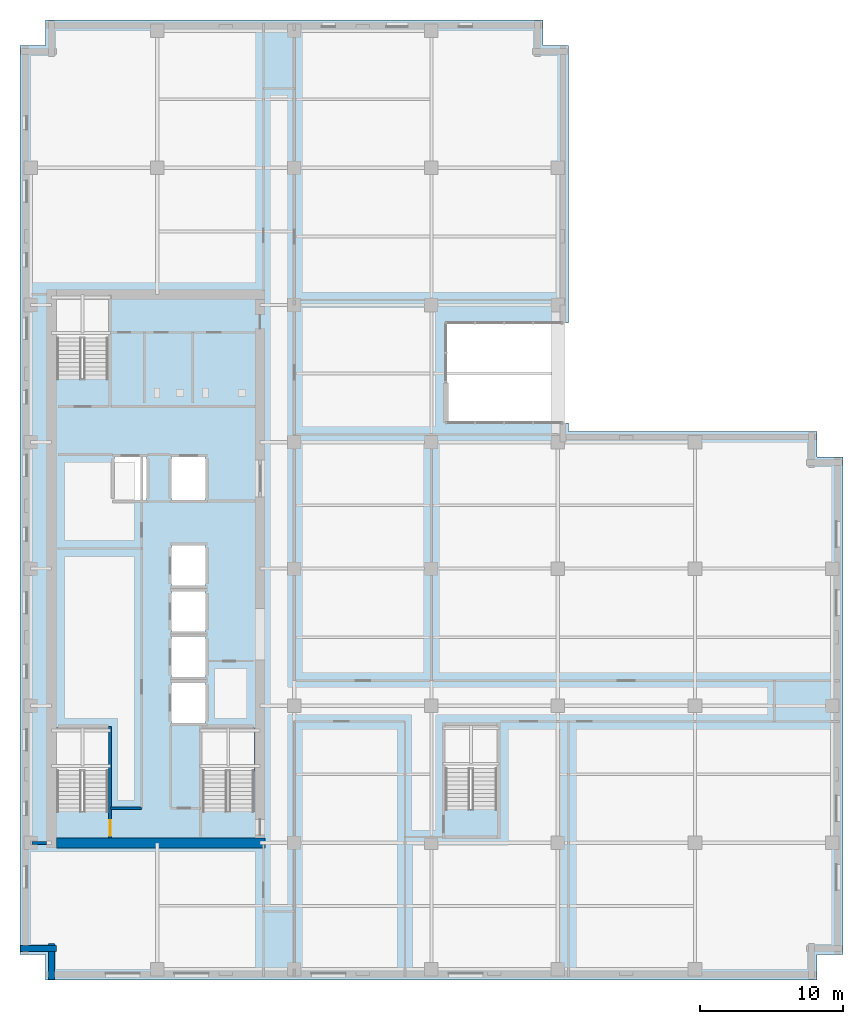
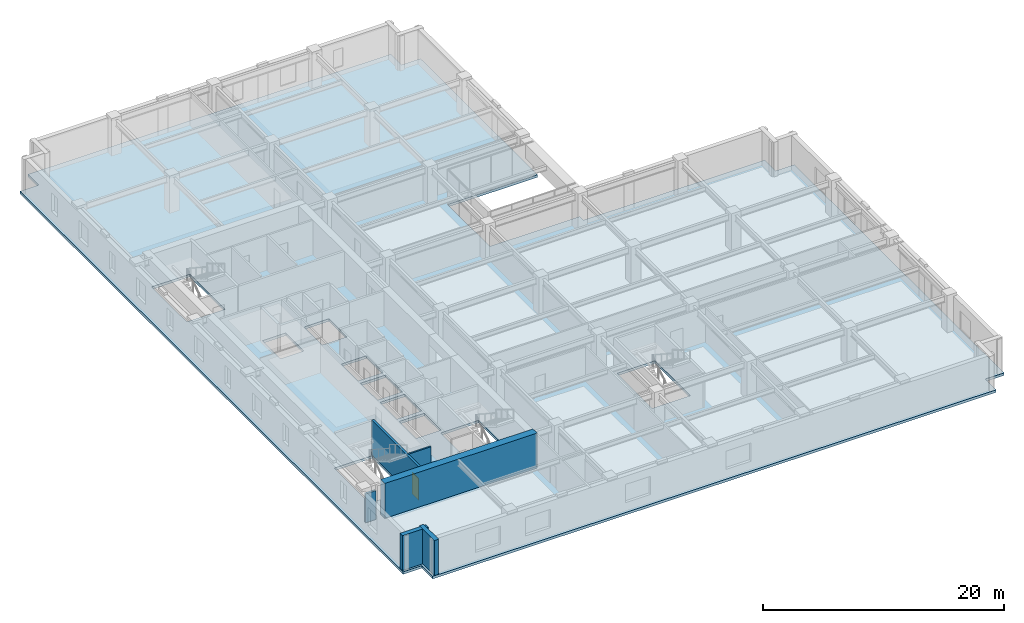
# One storey, part 3 of 13: 6 walls, 1 door, 1 slab, 1 opening.
"""IFC4 building model written with IfcOpenShell, lengths in metres."""

from ifc_helpers import new_model, si_unit, direction, frame, frame_2d, origin, place, context, subcontext, project, spatial, polyline, rectangle, outline, extrude, material, layer, layer_set, type_object, element, fill, save


model = new_model("IFC4")

# Units and contexts
model_context = context("Model", 3, precision=1e-05, world=origin(), true_north=direction((0.0, 1.0)))
body_context = subcontext(model_context, "Body", "Model", "MODEL_VIEW")
ifc_project = project(units=[si_unit("LENGTHUNIT", "METRE"), si_unit("AREAUNIT", "SQUARE_METRE"), si_unit("VOLUMEUNIT", "CUBIC_METRE"), si_unit("PLANEANGLEUNIT", "RADIAN"), si_unit("MASSUNIT", "GRAM", prefix="KILO")], contexts=[model_context])

# Site, building, storey
site_placement = place(None, origin())
site = spatial("IfcSite", under=ifc_project, at=site_placement, CompositionType="ELEMENT")
building_placement = place(site_placement, origin())
building = spatial("IfcBuilding", under=site, at=building_placement, Name="Norrvale University Quadrangle", CompositionType="ELEMENT")
storey_placement = place(building_placement, frame((0.0, 0.0, 171.199951171875)))
storey = spatial("IfcBuildingStorey", under=building, at=storey_placement, Name="L43", CompositionType="ELEMENT", Elevation=171.199951171875)

# Slab
ifc_material_1 = material(Name="Concrete C40/50", Category="concrete")
ifc_layer_1 = layer(ifc_material_1, 0.260009765625, Name="Concrete C40/50")
ifc_layer_set_1 = layer_set([ifc_layer_1], Name="Concrete C40/50")
slab_type = type_object("IfcSlabType", Name="Slab Tower Typ 260", PredefinedType="FLOOR", material=ifc_layer_set_1)
slab_placement = place(storey_placement, frame((0.0, 0.0, -0.260009765625)))
element("IfcSlab", 1, at=slab_placement, inside=storey, type_object=slab_type, Name="Tower L43 Floor Slab", PredefinedType="FLOOR", context=body_context, shape_type="SweptSolid", body=[
    extrude(outline(polyline([(38.39990234375, 38.39990234375), (55.800048828125, 38.39990234375), (55.800048828125, 36.60009765625), (57.60009765625, 36.60009765625), (57.60009765625, 1.800048828125), (55.800048828125, 1.800048828125), (55.800048828125, 0.0), (1.800048828125, 0.0), (1.800048828125, 1.800048828125), (0.0, 1.800048828125), (0.0, 65.39990234375), (1.800048828125, 65.39990234375), (1.800048828125, 67.199951171875), (36.60009765625, 67.199951171875), (36.60009765625, 65.39990234375), (38.39990234375, 65.39990234375), (38.39990234375, 46.0), (29.800048828125, 46.0), (29.800048828125, 39.0), (38.39990234375, 39.0), (38.39990234375, 38.39990234375)]), holes=[polyline([(2.550048828125, 11.81005859375), (6.199951171875, 11.81005859375), (6.199951171875, 17.64990234375), (2.550048828125, 17.64990234375), (2.550048828125, 11.81005859375)]), polyline([(2.550048828125, 42.110107421875), (6.199951171875, 42.110107421875), (6.199951171875, 47.949951171875), (2.550048828125, 47.949951171875), (2.550048828125, 42.110107421875)]), polyline([(12.75, 11.81005859375), (16.39990234375, 11.81005859375), (16.39990234375, 17.64990234375), (12.75, 17.64990234375), (12.75, 11.81005859375)]), polyline([(29.75, 11.9599609375), (33.39990234375, 11.9599609375), (33.39990234375, 17.800048828125), (29.75, 17.800048828125), (29.75, 11.9599609375)]), polyline([(10.60009765625, 18.0), (13.0, 18.0), (13.0, 20.800048828125), (10.60009765625, 20.800048828125), (10.60009765625, 18.0)]), polyline([(10.60009765625, 21.199951171875), (13.0, 21.199951171875), (13.0, 24.0), (10.60009765625, 24.0), (10.60009765625, 21.199951171875)]), polyline([(10.60009765625, 24.39990234375), (13.0, 24.39990234375), (13.0, 27.199951171875), (10.60009765625, 27.199951171875), (10.60009765625, 24.39990234375)]), polyline([(10.60009765625, 27.60009765625), (13.0, 27.60009765625), (13.0, 30.39990234375), (10.60009765625, 30.39990234375), (10.60009765625, 27.60009765625)]), polyline([(6.60009765625, 33.60009765625), (8.85009765625, 33.60009765625), (8.85009765625, 36.60009765625), (6.60009765625, 36.60009765625), (6.60009765625, 33.60009765625)]), polyline([(10.60009765625, 33.60009765625), (13.0, 33.60009765625), (13.0, 36.60009765625), (10.60009765625, 36.60009765625), (10.60009765625, 33.60009765625)])]), origin(), (0.0, 0.0, 1.0), 0.260009765625),
])

# Walls
ifc_material_2 = material(Name="Buff Norman Clay Brick Masonry", Category="masonry")
ifc_layer_2 = layer(ifc_material_2, 0.419921875, Name="Buff Norman Clay Brick Masonry")
ifc_layer_set_2 = layer_set([ifc_layer_2], Name="Buff Norman Clay Brick Masonry")
wall_type_1 = type_object("IfcWallType", Name="Wall Buff Brick 420", PredefinedType="SOLIDWALL", material=ifc_layer_set_2)
for number, where, z_axis, x_axis, name in (
    (2, (0.0400390625, 2.18994140625, 0.0), (0.0, 0.0, 1.0), (1.0, 0.0, 0.0), "Exterior Brick Facade Wall L43-15.1"),
    (3, (2.18994140625, 2.5400390625, 0.0), (0.0, 0.0, 1.0), (0.0, -1.0, 0.0), "Exterior Brick Facade Wall L43-16.1"),
):
    element("IfcWall", number, at=place(storey_placement, frame(where, z_axis=z_axis, x_axis=x_axis)), inside=storey, type_object=wall_type_1, Name=name, PredefinedType="SOLIDWALL", context=body_context, shape_type="SweptSolid", body=[
        extrude(rectangle(XDim=2.5, YDim=0.419921875, at=frame_2d((1.25, 0.0))), origin(), (0.0, 0.0, 1.0), 3.5400390625),
    ])
ifc_material_3 = material(Name="Concrete C60/75", Category="concrete")
ifc_layer_3 = layer(ifc_material_3, 0.699951171875, Name="Concrete C60/75")
ifc_layer_set_3 = layer_set([ifc_layer_3], Name="Concrete C60/75")
wall_type_2 = type_object("IfcWallType", Name="Wall Core 700", PredefinedType="SHEAR", material=ifc_layer_set_3)
wall_1_placement = place(storey_placement, frame((2.550048828125, 9.60009765625, 0.0), z_axis=(0.0, 0.0, 1.0), x_axis=(1.0, 0.0, 0.0)))
element("IfcWall", 4, at=wall_1_placement, inside=storey, type_object=wall_type_2, Name="Tower Core Shear Wall L43-S", PredefinedType="SHEAR", context=body_context, shape_type="SweptSolid", body=[
    extrude(rectangle(XDim=14.599853515625, YDim=0.699951171875, at=frame_2d((7.2998046875, 0.0))), origin(), (0.0, 0.0, 1.0), 3.5400390625),
])
ifc_material_4 = material(Name="Fire-Rated Gypsum Stud Partition")
ifc_layer_4 = layer(ifc_material_4, 0.14990234375, Name="Fire-Rated Gypsum Stud Partition")
ifc_layer_set_4 = layer_set([ifc_layer_4], Name="Fire-Rated Gypsum Stud Partition")
wall_type_3 = type_object("IfcWallType", Name="Wall Gypsum Corridor 150", PredefinedType="PARTITIONING", material=ifc_layer_set_4)
wall_2_placement = place(storey_placement, frame((6.320068359375, 12.02001953125, 0.0), z_axis=(0.0, 0.0, 1.0), x_axis=(1.0, 0.0, 0.0)))
element("IfcWall", 5, at=wall_2_placement, inside=storey, type_object=wall_type_3, Name="Interior Partition WL-L43-REC-S", PredefinedType="PARTITIONING", context=body_context, shape_type="SweptSolid", body=[
    extrude(rectangle(XDim=2.199951171875, YDim=0.14990234375, at=frame_2d((1.10009765625, 0.0))), origin(), (0.0, 0.0, 1.0), 3.5400390625),
])
ifc_material_5 = material(Name="Concrete Blockwork 20 MPa Rated Wall", Category="masonry")
ifc_layer_5 = layer(ifc_material_5, 0.199951171875, Name="Concrete Blockwork 20 MPa Rated Wall")
ifc_layer_set_5 = layer_set([ifc_layer_5], Name="Concrete Blockwork 20 MPa Rated Wall")
wall_type_4 = type_object("IfcWallType", Name="Wall Lobby 200", PredefinedType="SOLIDWALL", material=ifc_layer_set_5)
wall_3_placement = place(storey_placement, frame((0.85009765625, 9.60009765625, 0.0), z_axis=(0.0, 0.0, 1.0), x_axis=(1.0, 0.0, 0.0)))
element("IfcWall", 6, at=wall_3_placement, inside=storey, type_object=wall_type_4, Name="Interior Partition WL-L43-CWRET-S", PredefinedType="SOLIDWALL", context=body_context, shape_type="SweptSolid", body=[
    extrude(rectangle(XDim=0.994873046875, YDim=0.199951171875, at=frame_2d((0.49755859375, 0.0))), origin(), (0.0, 0.0, 1.0), 2.923095703125),
])

# Wall, opening, door
ifc_material_6 = material(Name="Concrete Blockwork 20 MPa Fire Shaft", Category="masonry")
ifc_layer_6 = layer(ifc_material_6, 0.219970703125, Name="Concrete Blockwork 20 MPa Fire Shaft")
ifc_layer_set_6 = layer_set([ifc_layer_6], Name="Concrete Blockwork 20 MPa Fire Shaft")
wall_type_5 = type_object("IfcWallType", Name="Wall Shaft 220", PredefinedType="SOLIDWALL", material=ifc_layer_set_6)
wall_4_placement = place(storey_placement, frame((6.31005859375, 9.949951171875, 0.0), z_axis=(0.0, 0.0, 1.0), x_axis=(0.0, 1.0, 0.0)))
wall_4 = element("IfcWall", 7, at=wall_4_placement, inside=storey, type_object=wall_type_5, Name="Stair ST-01 East Shaft Wall L43", PredefinedType="SOLIDWALL", context=body_context, shape_type="SweptSolid", body=[
    extrude(rectangle(XDim=7.81005859375, YDim=0.219970703125, at=frame_2d((3.905029296875, 0.0))), origin(), (0.0, 0.0, 1.0), 3.5400390625),
])
opening_placement = place(wall_4_placement, frame((0.139892578125, 0.0, 0.0)))
opening = element("IfcOpeningElement", 8, at=opening_placement, cuts=wall_4, Name="Opening D02", PredefinedType="OPENING", context=body_context, shape_type="SweptSolid", body=[
    extrude(rectangle(XDim=1.10009765625, YDim=2.199951171875, at=frame_2d((0.550048828125, 1.10009765625))), frame((0.0, 0.1220703125, 0.0), z_axis=(0.0, -1.0, 0.0), x_axis=(1.0, 0.0, 0.0)), (0.0, 0.0, 1.0), 0.243896484375),
])
ifc_material_7 = material(Name="Hollow Steel 350W Fire Door", Category="steel")
door_type = type_object("IfcDoorType", Name="Door Stair Exit 1100x2200", OperationType="NOTDEFINED", PredefinedType="DOOR", material=ifc_material_7)
door_placement = place(opening_placement, origin())
door = element("IfcDoor", 9, at=door_placement, inside=storey, type_object=door_type, Name="Door Stair Exit 1100x2200 DR-L43-ST01", OperationType="SINGLE_SWING_LEFT", OverallHeight=2.199951171875, OverallWidth=1.10009765625, PredefinedType="DOOR", context=body_context, shape_type="SweptSolid", body=[
    extrude(rectangle(XDim=1.10009765625, YDim=2.199951171875, at=frame_2d((0.550048828125, 1.10009765625))), frame((0.0, 0.02490234375, 0.0), z_axis=(0.0, -1.0, 0.0), x_axis=(1.0, 0.0, 0.0)), (0.0, 0.0, 1.0), 0.050048828125),
])
fill(opening, door)

save(model, "model.ifc")
